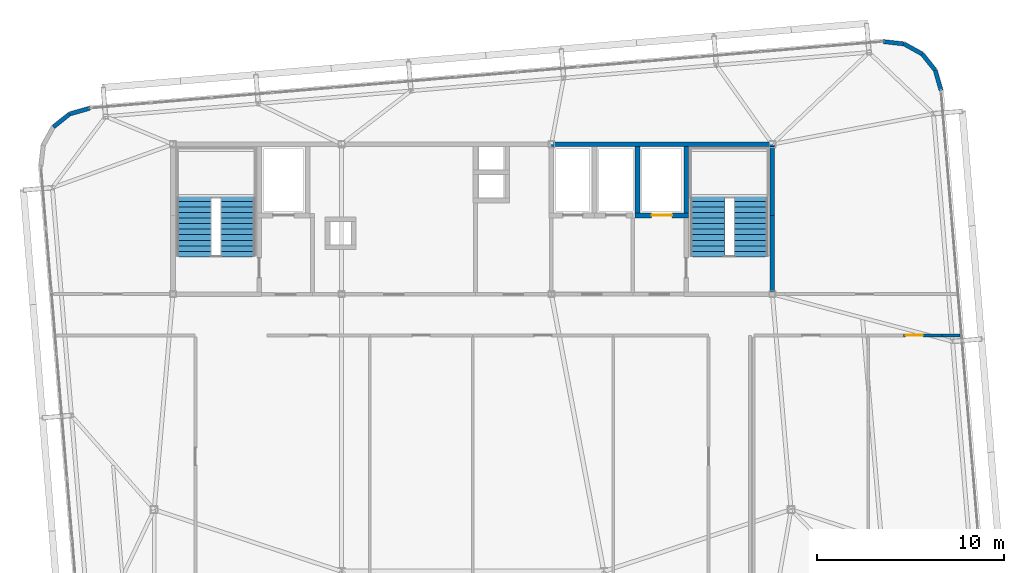
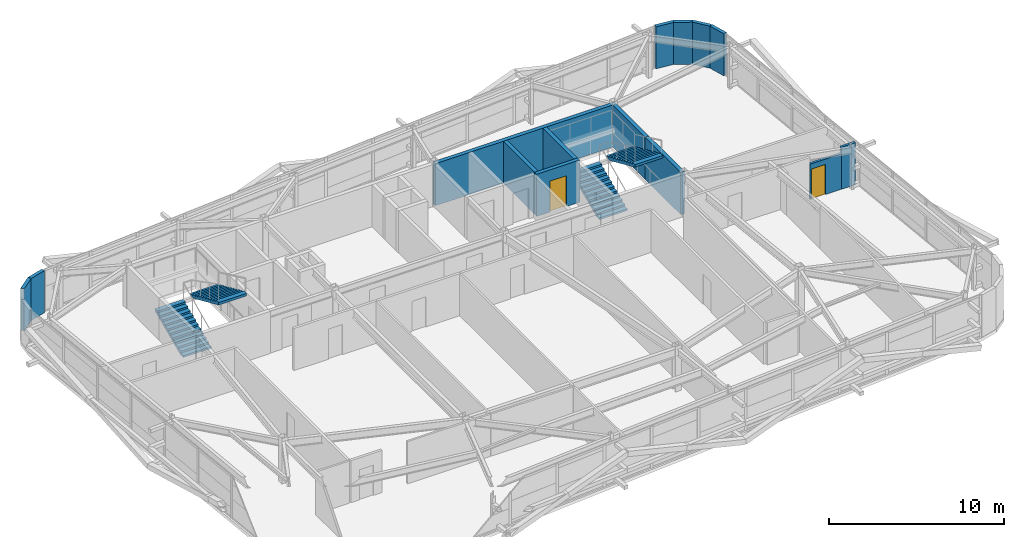
# One storey, part 44 of 46: 14 walls, 4 stair flights, 2 doors, 2 openings, 2 elements without a shape of their own.
"""IFC4 building model written with IfcOpenShell, lengths in metres."""

from ifc_helpers import new_model, si_unit, direction, frame, frame_2d, origin, place, context, subcontext, project, spatial, polyline, rectangle, outline, extrude, source, transform, mapped, material, layer, layer_set, type_object, element, fill, aggregate, save


model = new_model("IFC4")

# Units and contexts
model_context = context("Model", 3, precision=1e-05, world=origin(), true_north=direction((0.0, 1.0)))
body_context = subcontext(model_context, "Body", "Model", "MODEL_VIEW")
ifc_project = project(units=[si_unit("LENGTHUNIT", "METRE"), si_unit("AREAUNIT", "SQUARE_METRE"), si_unit("VOLUMEUNIT", "CUBIC_METRE"), si_unit("PLANEANGLEUNIT", "RADIAN"), si_unit("MASSUNIT", "GRAM", prefix="KILO")], contexts=[model_context])

# Site, building, storey
site_placement = place(None, origin())
site = spatial("IfcSite", under=ifc_project, at=site_placement, CompositionType="ELEMENT")
building_placement = place(site_placement, origin())
building = spatial("IfcBuilding", under=site, at=building_placement, Name="Taldren Reach Tower", CompositionType="ELEMENT")
storey_placement = place(building_placement, frame((0.0, 0.0, 188.300048828125)))
storey = spatial("IfcBuildingStorey", under=building, at=storey_placement, Name="L57", CompositionType="ELEMENT", Elevation=188.300048828125)

# Walls
ifc_material_1 = material(Name="Pale Champagne Anodised Aluminium Cladding", Category="aluminium")
ifc_layer_1 = layer(ifc_material_1, 0.04, Name="Pale Champagne Anodised Aluminium Cladding", Category="aluminium")
ifc_material_2 = material(Name="Mineral Wool Acoustic Insulation", Category="insulation")
ifc_layer_2 = layer(ifc_material_2, 0.06, Name="Mineral Wool Acoustic Insulation", Category="insulation")
ifc_material_3 = material(Name="Steel Gr 350 (C350L0)", Category="steel")
ifc_layer_3 = layer(ifc_material_3, 0.12, Name="Steel Gr 350 (C350L0)", Category="steel")
ifc_layer_set_1 = layer_set([ifc_layer_1, ifc_layer_2, ifc_layer_3], Name="Pale Champagne Aluminium Cladding and Steel Gr 350 Stud Framing")
wall_type_1 = type_object("IfcWallType", Name="EW-CRN-220", PredefinedType="SOLIDWALL", material=ifc_layer_set_1)
shared_shape_1 = source(origin(), body_context, "Body", "SweptSolid", [
    extrude(rectangle(XDim=1.115966796875, YDim=0.219970703125, at=frame_2d((0.55810546875, 0.0))), origin(), (0.0, 0.0, 1.0), 2.929931640625),
])
for number, where, z_axis, x_axis, name in (
    (1, (60.004150390625, 34.870361328125, 0.0), (0.0, 0.0, 1.0), (-0.276512002475, 0.961010464297, 0.0), "Rounded-corner pale-metal facade wall L57-NE1"),
    (2, (59.695556640625, 35.94287109375, 0.0), (0.0, 0.0, 1.0), (-0.623092886403, 0.782147847222, 0.0), "Rounded-corner pale-metal facade wall L57-NE2"),
    (3, (59.000244140625, 36.815673828125, 0.0), (0.0, 0.0, 1.0), (-0.875105012065, 0.483933071672, 0.0), "Rounded-corner pale-metal facade wall L57-NE3"),
    (4, (58.023681640625, 37.355712890625, 0.0), (0.0, 0.0, 1.0), (-0.993657581277, 0.112448259968, 0.0), "Rounded-corner pale-metal facade wall L57-NE4"),
    (5, (14.56396484375, 33.9248046875, 0.0), (0.0, 0.0, 1.0), (-0.961010464297, -0.276512002475, 0.0), "Rounded-corner pale-metal facade wall L57-NW1"),
):
    element("IfcWall", number, at=place(storey_placement, frame(where, z_axis=z_axis, x_axis=x_axis)), inside=storey, type_object=wall_type_1, Name=name, PredefinedType="SOLIDWALL", context=body_context, shape_type="MappedRepresentation", body=[
        mapped(shared_shape_1, transform((0.0, 0.0, 0.0), scale=1.0)),
    ])
shared_shape_2 = source(origin(), body_context, "Body", "SweptSolid", [
    extrude(rectangle(XDim=1.11572265625, YDim=0.219970703125, at=frame_2d((0.557861328125, 0.0))), origin(), (0.0, 0.0, 1.0), 2.929931640625),
])
wall_1_placement = place(storey_placement, frame((13.491455078125, 33.6162109375, 0.0), z_axis=(0.0, 0.0, 1.0), x_axis=(-0.782062884215, -0.623199522732, 0.0)))
element("IfcWall", 6, at=wall_1_placement, inside=storey, type_object=wall_type_1, Name="Rounded-corner pale-metal facade wall L57-NW2", PredefinedType="SOLIDWALL", context=body_context, shape_type="MappedRepresentation", body=[
    mapped(shared_shape_2, transform((0.0, 0.0, 0.0), scale=1.0)),
])
ifc_material_4 = material(Name="Concrete S65 (65 MPa)", Category="concrete")
ifc_layer_4 = layer(ifc_material_4, 0.25)
ifc_layer_set_2 = layer_set([ifc_layer_4], Name="Concrete S65 (65 MPa)")
wall_type_2 = type_object("IfcWallType", Name="IW-CORE-250", PredefinedType="SHEAR", material=ifc_layer_set_2)
shared_shape_3 = source(origin(), body_context, "Body", "SweptSolid", [
    extrude(rectangle(XDim=11.925048828125, YDim=0.25, at=frame_2d((5.96240234375, 0.0))), origin(), (0.0, 0.0, 1.0), 2.929931640625),
])
wall_2_placement = place(storey_placement, frame((39.199951171875, 32.0, 0.0), z_axis=(0.0, 0.0, 1.0), x_axis=(1.0, 0.0, 0.0)))
element("IfcWall", 7, at=wall_2_placement, inside=storey, type_object=wall_type_2, Name="Rear Core Shear Wall W-CORE-L57-NORTH3", PredefinedType="SHEAR", context=body_context, shape_type="MappedRepresentation", body=[
    mapped(shared_shape_3, transform((0.0, 0.0, 0.0), scale=1.0)),
])
shared_shape_4 = source(origin(), body_context, "Body", "SweptSolid", [
    extrude(rectangle(XDim=4.074951171875, YDim=0.25, at=frame_2d((2.03759765625, 0.0))), origin(), (0.0, 0.0, 1.0), 2.929931640625),
])
wall_3_placement = place(storey_placement, frame((51.0, 24.125, 0.0), z_axis=(0.0, 0.0, 1.0), x_axis=(0.0, 1.0, 0.0)))
element("IfcWall", 8, at=wall_3_placement, inside=storey, type_object=wall_type_2, Name="Rear Core Shear Wall W-CORE-L57-EAST1", PredefinedType="SHEAR", context=body_context, shape_type="MappedRepresentation", body=[
    mapped(shared_shape_4, transform((0.0, 0.0, 0.0), scale=1.0)),
])
shared_shape_5 = source(origin(), body_context, "Body", "SweptSolid", [
    extrude(rectangle(XDim=3.675048828125, YDim=0.25, at=frame_2d((1.83740234375, 0.0))), origin(), (0.0, 0.0, 1.0), 2.929931640625),
])
wall_4_placement = place(storey_placement, frame((51.0, 28.199951171875, 0.0), z_axis=(0.0, 0.0, 1.0), x_axis=(0.0, 1.0, 0.0)))
element("IfcWall", 9, at=wall_4_placement, inside=storey, type_object=wall_type_2, Name="Rear Core Shear Wall W-CORE-L57-EAST2", PredefinedType="SHEAR", context=body_context, shape_type="MappedRepresentation", body=[
    mapped(shared_shape_5, transform((0.0, 0.0, 0.0), scale=1.0)),
])
shared_shape_6 = source(origin(), body_context, "Body", "SweptSolid", [
    extrude(rectangle(XDim=3.550048828125, YDim=0.25, at=frame_2d((1.77490234375, 0.0))), origin(), (0.0, 0.0, 1.0), 2.929931640625),
])
for number, where, z_axis, x_axis, name in (
    (10, (46.39990234375, 31.875, 0.0), (0.0, 0.0, 1.0), (0.0, -1.0, 0.0), "Rear Core Shear Wall W-INT-L57-008"),
    (11, (43.800048828125, 31.875, 0.0), (0.0, 0.0, 1.0), (0.0, -1.0, 0.0), "Rear Core Shear Wall W-INT-L57-012"),
):
    element("IfcWall", number, at=place(storey_placement, frame(where, z_axis=z_axis, x_axis=x_axis)), inside=storey, type_object=wall_type_2, Name=name, PredefinedType="SHEAR", context=body_context, shape_type="MappedRepresentation", body=[
        mapped(shared_shape_6, transform((0.0, 0.0, 0.0), scale=1.0)),
    ])

# Wall, opening, door
shared_shape_7 = source(origin(), body_context, "Body", "SweptSolid", [
    extrude(rectangle(XDim=2.849853515625, YDim=0.25, at=frame_2d((1.4248046875, 0.0))), origin(), (0.0, 0.0, 1.0), 2.929931640625),
])
wall_5_placement = place(storey_placement, frame((43.675048828125, 28.199951171875, 0.0), z_axis=(0.0, 0.0, 1.0), x_axis=(1.0, 0.0, 0.0)))
wall_5 = element("IfcWall", 12, at=wall_5_placement, inside=storey, type_object=wall_type_2, Name="Rear Core Shear Wall W-INT-L57-011", PredefinedType="SHEAR", context=body_context, shape_type="MappedRepresentation", body=[
    mapped(shared_shape_7, transform((0.0, 0.0, 0.0), scale=1.0)),
])
shared_shape_8 = source(origin(), body_context, "Body", "SweptSolid", [
    extrude(rectangle(XDim=1.10009765625, YDim=2.14990234375, at=frame_2d((0.550048828125, 1.074951171875))), frame((0.0, 0.135009765625, 0.0), z_axis=(0.0, -1.0, 0.0), x_axis=(1.0, 0.0, 0.0)), (0.0, 0.0, 1.0), 0.27001953125),
])
opening_1_placement = place(wall_5_placement, frame((0.875, 0.0, 0.0)))
opening_1 = element("IfcOpeningElement", 13, at=opening_1_placement, cuts=wall_5, Name="Opening LD-FL2", PredefinedType="OPENING", context=body_context, shape_type="MappedRepresentation", body=[
    mapped(shared_shape_8, transform((0.0, 0.0, 0.0), scale=1.0)),
])
ifc_material_5 = material(Name="Stainless Steel Gr 316 Emergency Lift Landing Door", Category="steel")
door_type_1 = type_object("IfcDoorType", Name="LD-EMG-110", OperationType="SLIDING_TO_LEFT", PredefinedType="DOOR", material=ifc_material_5)
shared_shape_9 = source(origin(), body_context, "Body", "SweptSolid", [
    extrude(rectangle(XDim=1.10009765625, YDim=2.14990234375, at=frame_2d((0.550048828125, 1.074951171875))), frame((0.0, 0.02490234375, 0.0), z_axis=(0.0, -1.0, 0.0), x_axis=(1.0, 0.0, 0.0)), (0.0, 0.0, 1.0), 0.050048828125),
])
door_1_placement = place(opening_1_placement, origin())
door_1 = element("IfcDoor", 14, at=door_1_placement, inside=storey, type_object=door_type_1, Name="Lift Landing Door LD-FL2-L57", OperationType="SLIDING_TO_LEFT", OverallHeight=2.14990234375, OverallWidth=1.10009765625, PredefinedType="DOOR", context=body_context, shape_type="MappedRepresentation", body=[
    mapped(shared_shape_9, transform((0.0, 0.0, 0.0), scale=1.0)),
])
fill(opening_1, door_1)

# Wall
ifc_material_6 = material(Name="Fire-Rated Acoustic Plasterboard Stud Wall", Category="gypsum")
ifc_layer_5 = layer(ifc_material_6, 0.159912109375)
ifc_layer_set_3 = layer_set([ifc_layer_5], Name="Fire-Rated Acoustic Plasterboard Stud Wall")
wall_type_3 = type_object("IfcWallType", Name="IW-FIRE-160", PredefinedType="PARTITIONING", material=ifc_layer_set_3)
shared_shape_10 = source(origin(), body_context, "Body", "SweptSolid", [
    extrude(rectangle(XDim=0.9453125, YDim=0.159912109375, at=frame_2d((0.47265625, 0.0))), origin(), (0.0, 0.0, 1.0), 2.929931640625),
])
wall_6_placement = place(storey_placement, frame((61.004638671875, 21.800048828125, 0.0), z_axis=(0.0, 0.0, 1.0), x_axis=(-1.0, 0.0, 0.0)))
element("IfcWall", 15, at=wall_6_placement, inside=storey, type_object=wall_type_3, Name="Interior Partition Wall W-INT-L57-047", PredefinedType="PARTITIONING", context=body_context, shape_type="MappedRepresentation", body=[
    mapped(shared_shape_10, transform((0.0, 0.0, 0.0), scale=1.0)),
])

# Wall, opening, door
shared_shape_11 = source(origin(), body_context, "Body", "SweptSolid", [
    extrude(rectangle(XDim=2.048095703125, YDim=0.159912109375, at=frame_2d((1.02392578125, 0.0))), origin(), (0.0, 0.0, 1.0), 2.469970703125),
])
wall_7_placement = place(storey_placement, frame((60.059326171875, 21.800048828125, 0.0), z_axis=(0.0, 0.0, 1.0), x_axis=(-1.0, 0.0, 0.0)))
wall_7 = element("IfcWall", 16, at=wall_7_placement, inside=storey, type_object=wall_type_3, Name="Interior Partition Wall W-INT-L57-047 part 2", PredefinedType="PARTITIONING", context=body_context, shape_type="MappedRepresentation", body=[
    mapped(shared_shape_11, transform((0.0, 0.0, 0.0), scale=1.0)),
])
shared_shape_12 = source(origin(), body_context, "Body", "SweptSolid", [
    extrude(rectangle(XDim=0.919921875, YDim=2.10009765625, at=frame_2d((0.4599609375, 1.050048828125))), frame((0.0, 0.08984375, 0.0), z_axis=(0.0, -1.0, 0.0), x_axis=(1.0, 0.0, 0.0)), (0.0, 0.0, 1.0), 0.179931640625),
])
opening_2_placement = place(wall_7_placement, frame((1.0283203125, 0.0, 0.0)))
opening_2 = element("IfcOpeningElement", 17, at=opening_2_placement, cuts=wall_7, Name="Opening DI-092", PredefinedType="OPENING", context=body_context, shape_type="MappedRepresentation", body=[
    mapped(shared_shape_12, transform((0.0, 0.0, 0.0), scale=1.0)),
])
ifc_material_7 = material(Name="Solid-Core Timber Suite Door", Category="wood")
door_type_2 = type_object("IfcDoorType", Name="ID-INT-092", OperationType="NOTDEFINED", PredefinedType="DOOR", material=ifc_material_7)
shared_shape_13 = source(origin(), body_context, "Body", "SweptSolid", [
    extrude(rectangle(XDim=0.919921875, YDim=2.10009765625, at=frame_2d((0.4599609375, 1.050048828125))), frame((0.0, 0.02490234375, 0.0), z_axis=(0.0, -1.0, 0.0), x_axis=(1.0, 0.0, 0.0)), (0.0, 0.0, 1.0), 0.050048828125),
])
door_2_placement = place(opening_2_placement, origin())
door_2 = element("IfcDoor", 18, at=door_2_placement, inside=storey, type_object=door_type_2, Name="Interior Door DR-L57-017", OperationType="SINGLE_SWING_RIGHT", OverallHeight=2.10009765625, OverallWidth=0.919921875, PredefinedType="DOOR", context=body_context, shape_type="MappedRepresentation", body=[
    mapped(shared_shape_13, transform((0.0, 0.0, 0.0), scale=1.0)),
])
fill(opening_2, door_2)

# Stair, stair flights
ifc_material_8 = material(Name="Concrete S50 (50 MPa)", Category="concrete")
stair_type = type_object("IfcStairType", Name="ST-HT-315", PredefinedType="HALF_TURN_STAIR", material=ifc_material_8)
stair_1_placement = place(storey_placement, origin())
stair_1 = element("IfcStair", 19, at=stair_1_placement, inside=storey, type_object=stair_type, Name="Fire-isolated exit stair ST1 L57", PredefinedType="HALF_TURN_STAIR")
stair_flight_type = type_object("IfcStairFlightType", Name="SF-STR-315", PredefinedType="STRAIGHT", material=ifc_material_8)
stair_flight_1_placement = place(storey_placement, frame((20.139892578125, 25.989990234375, 0.0), z_axis=(0.0, 0.0, 1.0), x_axis=(0.0, 1.0, 0.0)))
stair_flight_1 = element("IfcStairFlight", 20, at=stair_flight_1_placement, type_object=stair_flight_type, Name="ST1 flight 1", NumberOfRisers=12, NumberOfTreads=11, PredefinedType="STRAIGHT", RiserHeight=0.13125, TreadLength=0.295, context=body_context, shape_type="SweptSolid", body=[
    extrude(outline(polyline([(0.0, 0.0), (0.0, 0.13134765625), (0.294921875, 0.13134765625), (0.294921875, 0.262451171875), (0.590087890625, 0.262451171875), (0.590087890625, 0.393798828125), (0.885009765625, 0.393798828125), (0.885009765625, 0.52490234375), (1.179931640625, 0.52490234375), (1.179931640625, 0.65625), (1.47509765625, 0.65625), (1.47509765625, 0.78759765625), (1.77001953125, 0.78759765625), (1.77001953125, 0.918701171875), (2.06494140625, 0.918701171875), (2.06494140625, 1.050048828125), (2.360107421875, 1.050048828125), (2.360107421875, 1.18115234375), (2.655029296875, 1.18115234375), (2.655029296875, 1.3125), (2.949951171875, 1.3125), (2.949951171875, 1.44384765625), (3.2451171875, 1.44384765625), (3.2451171875, 1.574951171875), (3.2451171875, 1.268798828125), (0.393310546875, 0.0), (0.0, 0.0)])), frame((0.0, 0.919921875, 0.0), z_axis=(0.0, -1.0, 0.0), x_axis=(1.0, 0.0, 0.0)), (0.0, 0.0, 1.0), 1.840087890625),
])
stair_flight_2_placement = place(storey_placement, frame((22.4599609375, 29.235107421875, 1.574951171875), z_axis=(0.0, 0.0, 1.0), x_axis=(0.0, -1.0, 0.0)))
stair_flight_2 = element("IfcStairFlight", 21, at=stair_flight_2_placement, type_object=stair_flight_type, Name="ST1 flight 2", NumberOfRisers=12, NumberOfTreads=11, PredefinedType="STRAIGHT", RiserHeight=0.13125, TreadLength=0.295, context=body_context, shape_type="SweptSolid", body=[
    extrude(outline(polyline([(0.0, 0.0), (0.0, 0.13134765625), (0.294921875, 0.13134765625), (0.294921875, 0.262451171875), (0.590087890625, 0.262451171875), (0.590087890625, 0.393798828125), (0.885009765625, 0.393798828125), (0.885009765625, 0.52490234375), (1.179931640625, 0.52490234375), (1.179931640625, 0.65625), (1.47509765625, 0.65625), (1.47509765625, 0.78759765625), (1.77001953125, 0.78759765625), (1.77001953125, 0.918701171875), (2.06494140625, 0.918701171875), (2.06494140625, 1.050048828125), (2.360107421875, 1.050048828125), (2.360107421875, 1.18115234375), (2.655029296875, 1.18115234375), (2.655029296875, 1.3125), (2.949951171875, 1.3125), (2.949951171875, 1.44384765625), (3.2451171875, 1.44384765625), (3.2451171875, 1.574951171875), (3.2451171875, 1.268798828125), (0.393310546875, 0.0), (0.0, 0.0)])), frame((0.0, 0.919921875, 0.0), z_axis=(0.0, -1.0, 0.0), x_axis=(1.0, 0.0, 0.0)), (0.0, 0.0, 1.0), 1.840087890625),
])
aggregate(stair_1, [stair_flight_1, stair_flight_2])

stair_2_placement = place(storey_placement, origin())
stair_2 = element("IfcStair", 22, at=stair_2_placement, inside=storey, type_object=stair_type, Name="Fire-isolated exit stair ST2 L57", PredefinedType="HALF_TURN_STAIR")
stair_flight_3_placement = place(storey_placement, frame((47.5400390625, 25.989990234375, 0.0), z_axis=(0.0, 0.0, 1.0), x_axis=(0.0, 1.0, 0.0)))
stair_flight_3 = element("IfcStairFlight", 23, at=stair_flight_3_placement, type_object=stair_flight_type, Name="ST2 flight 1", NumberOfRisers=12, NumberOfTreads=11, PredefinedType="STRAIGHT", RiserHeight=0.13125, TreadLength=0.295, context=body_context, shape_type="SweptSolid", body=[
    extrude(outline(polyline([(0.0, 0.0), (0.0, 0.13134765625), (0.294921875, 0.13134765625), (0.294921875, 0.262451171875), (0.590087890625, 0.262451171875), (0.590087890625, 0.393798828125), (0.885009765625, 0.393798828125), (0.885009765625, 0.52490234375), (1.179931640625, 0.52490234375), (1.179931640625, 0.65625), (1.47509765625, 0.65625), (1.47509765625, 0.78759765625), (1.77001953125, 0.78759765625), (1.77001953125, 0.918701171875), (2.06494140625, 0.918701171875), (2.06494140625, 1.050048828125), (2.360107421875, 1.050048828125), (2.360107421875, 1.18115234375), (2.655029296875, 1.18115234375), (2.655029296875, 1.3125), (2.949951171875, 1.3125), (2.949951171875, 1.44384765625), (3.2451171875, 1.44384765625), (3.2451171875, 1.574951171875), (3.2451171875, 1.268798828125), (0.393310546875, 0.0), (0.0, 0.0)])), frame((0.0, 0.919921875, 0.0), z_axis=(0.0, -1.0, 0.0), x_axis=(1.0, 0.0, 0.0)), (0.0, 0.0, 1.0), 1.840087890625),
])
stair_flight_4_placement = place(storey_placement, frame((49.860107421875, 29.235107421875, 1.574951171875), z_axis=(0.0, 0.0, 1.0), x_axis=(0.0, -1.0, 0.0)))
stair_flight_4 = element("IfcStairFlight", 24, at=stair_flight_4_placement, type_object=stair_flight_type, Name="ST2 flight 2", NumberOfRisers=12, NumberOfTreads=11, PredefinedType="STRAIGHT", RiserHeight=0.13125, TreadLength=0.295, context=body_context, shape_type="SweptSolid", body=[
    extrude(outline(polyline([(0.0, 0.0), (0.0, 0.13134765625), (0.294921875, 0.13134765625), (0.294921875, 0.262451171875), (0.590087890625, 0.262451171875), (0.590087890625, 0.393798828125), (0.885009765625, 0.393798828125), (0.885009765625, 0.52490234375), (1.179931640625, 0.52490234375), (1.179931640625, 0.65625), (1.47509765625, 0.65625), (1.47509765625, 0.78759765625), (1.77001953125, 0.78759765625), (1.77001953125, 0.918701171875), (2.06494140625, 0.918701171875), (2.06494140625, 1.050048828125), (2.360107421875, 1.050048828125), (2.360107421875, 1.18115234375), (2.655029296875, 1.18115234375), (2.655029296875, 1.3125), (2.949951171875, 1.3125), (2.949951171875, 1.44384765625), (3.2451171875, 1.44384765625), (3.2451171875, 1.574951171875), (3.2451171875, 1.268798828125), (0.393310546875, 0.0), (0.0, 0.0)])), frame((0.0, 0.919921875, 0.0), z_axis=(0.0, -1.0, 0.0), x_axis=(1.0, 0.0, 0.0)), (0.0, 0.0, 1.0), 1.840087890625),
])
aggregate(stair_2, [stair_flight_3, stair_flight_4])

save(model, "model.ifc")
